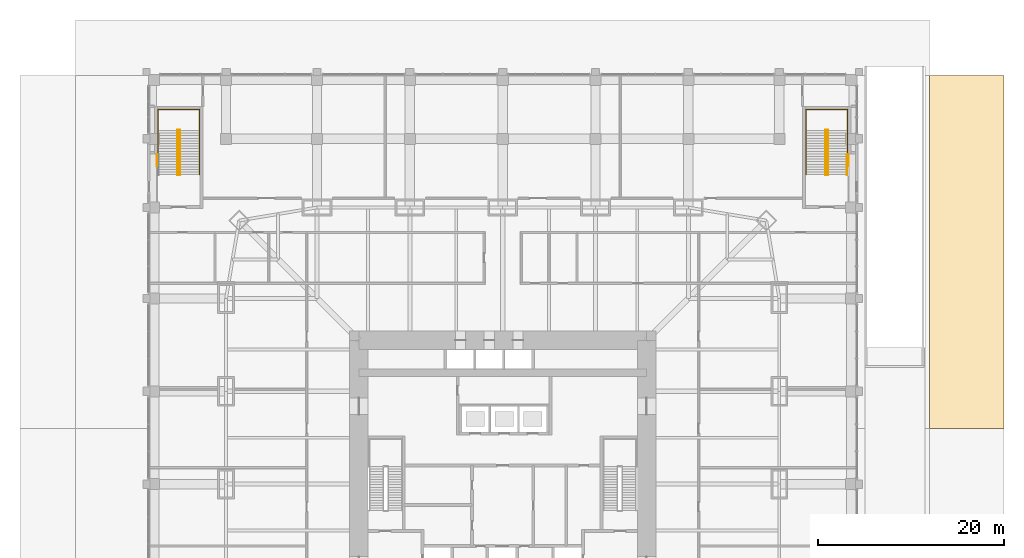
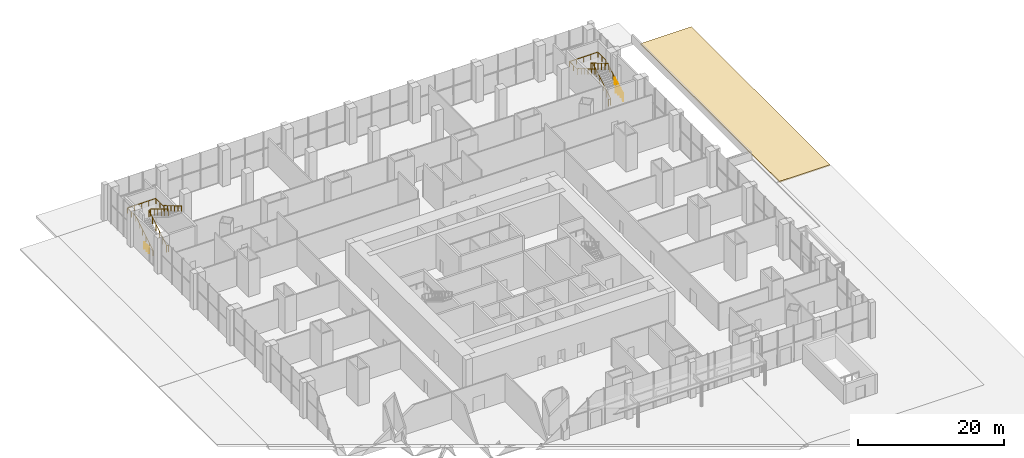
# One storey, part 30 of 31: 7 railings, 1 covering.
"""IFC4 building model written with IfcOpenShell, lengths in metres."""

from ifc_helpers import new_model, si_unit, direction, frame, origin, origin_2d, place, context, subcontext, project, spatial, polyline, circle, outline, extrude, material, layer, layer_set, type_object, element, save


model = new_model("IFC4")

# Units and contexts
model_context = context("Model", 3, precision=1e-05, world=origin(), true_north=direction((0.0, 1.0)))
body_context = subcontext(model_context, "Body", "Model", "MODEL_VIEW")
ifc_project = project(units=[si_unit("LENGTHUNIT", "METRE"), si_unit("AREAUNIT", "SQUARE_METRE"), si_unit("VOLUMEUNIT", "CUBIC_METRE"), si_unit("PLANEANGLEUNIT", "RADIAN"), si_unit("MASSUNIT", "GRAM", prefix="KILO")], contexts=[model_context])

# Site, building, storey
site_placement = place(None, origin())
site = spatial("IfcSite", under=ifc_project, at=site_placement, CompositionType="ELEMENT")
building_placement = place(site_placement, origin())
building = spatial("IfcBuilding", under=site, at=building_placement, Name="Khuree Lantern Residences", CompositionType="ELEMENT")
storey_placement = place(building_placement, origin())
storey = spatial("IfcBuildingStorey", under=building, at=storey_placement, Name="L00", CompositionType="ELEMENT", Elevation=0.0)

# Covering
ifc_material_1 = material(Name="Flamed granite setts on a bound sub-base", Category="masonry")
ifc_layer = layer(ifc_material_1, 0.199951171875)
ifc_layer_set = layer_set([ifc_layer], Name="PLAZA PAVING ON GRADE")
covering_type = type_object("IfcCoveringType", Name="PLAZA PAVING ON GRADE", PredefinedType="USERDEFINED", material=ifc_layer_set)
covering_placement = place(storey_placement, frame((0.0, 0.0, -0.199951171875)))
element("IfcCovering", 1, at=covering_placement, inside=storey, type_object=covering_type, Name="PLAZA PAVING BAY 11", ObjectType="PAVING", PredefinedType="USERDEFINED", context=body_context, shape_type="SweptSolid", body=[
    extrude(outline(polyline([(54.0, 6.0048828125), (46.0, 6.0048828125), (46.0, 44.0), (54.0, 44.0), (54.0, 6.0048828125)])), origin(), (0.0, 0.0, 1.0), 0.199951171875),
])

# Railings
ifc_material_2 = material(Name="Steel S355", Category="steel")
railing_type_1 = type_object("IfcRailingType", Name="STAIR GUARD G1 1100", PredefinedType="GUARDRAIL", material=ifc_material_2)
railing_1_placement = place(storey_placement, frame((-34.75, 33.2900390625, 0.0)))
element("IfcRailing", 2, at=railing_1_placement, inside=storey, type_object=railing_type_1, Name="Stair ST3 guard", PredefinedType="GUARDRAIL", context=body_context, shape_type="SweptSolid", body=[
    extrude(circle(Radius=0.02392578125, at=origin_2d()), frame((0.0, 0.0, 1.076171875), z_axis=(-1.0, 0.0, 0.0), x_axis=(0.0, -1.0, 0.0)), (0.0, 0.0, 1.0), 0.300048828125),
    extrude(circle(Radius=0.02392578125, at=origin_2d()), frame((-0.300048828125, 0.0, 1.076171875), z_axis=(0.0, 0.287476536604, 0.957787680492), x_axis=(-1.0, 0.0, 0.0)), (0.0, 0.0, 1.0), 0.174072265625),
    extrude(circle(Radius=0.02392578125, at=origin_2d()), frame((-0.300048828125, 0.050048828125, 1.24267578125), z_axis=(0.0, 0.859299802514, 0.511472237174), x_axis=(-1.0, 0.0, 0.0)), (0.0, 0.0, 1.0), 5.539306640625),
    extrude(circle(Radius=0.02392578125, at=origin_2d()), frame((-0.300048828125, 4.81005859375, 4.076171875), z_axis=(0.0, 1.0, 0.0), x_axis=(-1.0, 0.0, 0.0)), (0.0, 0.0, 1.0), 0.0498046875),
    extrude(circle(Radius=0.02392578125, at=origin_2d()), frame((-0.300048828125, 4.85986328125, 4.076171875), z_axis=(1.0, 0.0, 0.0), x_axis=(0.0, 1.0, 0.0)), (0.0, 0.0, 1.0), 0.300048828125),
    extrude(circle(Radius=0.02392578125, at=origin_2d()), frame((0.0, 4.85986328125, 4.076171875), z_axis=(0.0, -0.286189326841, 0.958173089375), x_axis=(1.0, 0.0, 0.0)), (0.0, 0.0, 1.0), 0.174072265625),
    extrude(circle(Radius=0.02392578125, at=origin_2d()), frame((0.0, 4.81005859375, 4.24267578125), z_axis=(0.0, -0.859299802514, 0.511472237174), x_axis=(1.0, 0.0, 0.0)), (0.0, 0.0, 1.0), 5.539306640625),
    extrude(circle(Radius=0.02099609375, at=origin_2d()), origin(), (0.0, 0.0, 1.0), 1.052001953125),
    extrude(circle(Radius=0.02099609375, at=origin_2d()), frame((-0.300048828125, 0.0, 0.0)), (0.0, 0.0, 1.0), 1.052001953125),
    extrude(circle(Radius=0.02099609375, at=origin_2d()), frame((-0.300048828125, 0.050048828125, 0.166748046875)), (0.0, 0.0, 1.0), 1.052001953125),
    extrude(circle(Radius=0.02099609375, at=origin_2d()), frame((-0.300048828125, 1.001953125, 0.7333984375)), (0.0, 0.0, 1.0), 1.052001953125),
    extrude(circle(Radius=0.02099609375, at=origin_2d()), frame((-0.300048828125, 1.9541015625, 1.300048828125)), (0.0, 0.0, 1.0), 1.052001953125),
    extrude(circle(Radius=0.02099609375, at=origin_2d()), frame((-0.300048828125, 2.906005859375, 1.86669921875)), (0.0, 0.0, 1.0), 1.052001953125),
    extrude(circle(Radius=0.02099609375, at=origin_2d()), frame((-0.300048828125, 3.858154296875, 2.433349609375)), (0.0, 0.0, 1.0), 1.052001953125),
    extrude(circle(Radius=0.02099609375, at=origin_2d()), frame((-0.300048828125, 4.81005859375, 3.0)), (0.0, 0.0, 1.0), 1.052001953125),
    extrude(circle(Radius=0.02099609375, at=origin_2d()), frame((-0.300048828125, 4.85986328125, 3.0)), (0.0, 0.0, 1.0), 1.052001953125),
    extrude(circle(Radius=0.02099609375, at=origin_2d()), frame((0.0, 4.85986328125, 3.0)), (0.0, 0.0, 1.0), 1.052001953125),
    extrude(circle(Radius=0.02099609375, at=origin_2d()), frame((0.0, 4.81005859375, 3.166748046875)), (0.0, 0.0, 1.0), 1.052001953125),
    extrude(circle(Radius=0.02099609375, at=origin_2d()), frame((0.0, 3.858154296875, 3.7333984375)), (0.0, 0.0, 1.0), 1.052001953125),
    extrude(circle(Radius=0.02099609375, at=origin_2d()), frame((0.0, 2.906005859375, 4.300048828125)), (0.0, 0.0, 1.0), 1.052001953125),
    extrude(circle(Radius=0.02099609375, at=origin_2d()), frame((0.0, 1.9541015625, 4.86669921875)), (0.0, 0.0, 1.0), 1.052001953125),
    extrude(circle(Radius=0.02099609375, at=origin_2d()), frame((0.0, 1.001953125, 5.433349609375)), (0.0, 0.0, 1.0), 1.052001953125),
    extrude(circle(Radius=0.02099609375, at=origin_2d()), frame((0.0, 0.050048828125, 6.0)), (0.0, 0.0, 1.0), 1.052001953125),
])
railing_2_placement = place(storey_placement, frame((-37.25, 34.263916015625, 0.0)))
element("IfcRailing", 3, at=railing_2_placement, inside=storey, type_object=railing_type_1, Name="Stair ST3 floor edge guard", PredefinedType="GUARDRAIL", context=body_context, shape_type="SweptSolid", body=[
    extrude(circle(Radius=0.02392578125, at=origin_2d()), frame((0.0, 0.0, 1.076171875), z_axis=(0.0, 1.0, 0.0), x_axis=(-1.0, 0.0, 0.0)), (0.0, 0.0, 1.0), 1.27197265625),
    extrude(circle(Radius=0.02099609375, at=origin_2d()), origin(), (0.0, 0.0, 1.0), 1.052001953125),
    extrude(circle(Radius=0.02099609375, at=origin_2d()), frame((0.0, 0.635986328125, 0.0)), (0.0, 0.0, 1.0), 1.052001953125),
    extrude(circle(Radius=0.02099609375, at=origin_2d()), frame((0.0, 1.27197265625, 0.0)), (0.0, 0.0, 1.0), 1.052001953125),
])
railing_3_placement = place(storey_placement, frame((34.75, 33.2900390625, 0.0)))
element("IfcRailing", 4, at=railing_3_placement, inside=storey, type_object=railing_type_1, Name="Stair ST4 guard", PredefinedType="GUARDRAIL", context=body_context, shape_type="SweptSolid", body=[
    extrude(circle(Radius=0.02392578125, at=origin_2d()), frame((0.0, 0.0, 1.076171875), z_axis=(1.0, 0.0, 0.0), x_axis=(0.0, 1.0, 0.0)), (0.0, 0.0, 1.0), 0.300048828125),
    extrude(circle(Radius=0.02392578125, at=origin_2d()), frame((0.300048828125, 0.0, 1.076171875), z_axis=(0.0, 0.287476536604, 0.957787680492), x_axis=(-1.0, 0.0, 0.0)), (0.0, 0.0, 1.0), 0.174072265625),
    extrude(circle(Radius=0.02392578125, at=origin_2d()), frame((0.300048828125, 0.050048828125, 1.24267578125), z_axis=(0.0, 0.859299802514, 0.511472237174), x_axis=(-1.0, 0.0, 0.0)), (0.0, 0.0, 1.0), 5.539306640625),
    extrude(circle(Radius=0.02392578125, at=origin_2d()), frame((0.300048828125, 4.81005859375, 4.076171875), z_axis=(0.0, 1.0, 0.0), x_axis=(-1.0, 0.0, 0.0)), (0.0, 0.0, 1.0), 0.0498046875),
    extrude(circle(Radius=0.02392578125, at=origin_2d()), frame((0.300048828125, 4.85986328125, 4.076171875), z_axis=(-1.0, 0.0, 0.0), x_axis=(0.0, -1.0, 0.0)), (0.0, 0.0, 1.0), 0.300048828125),
    extrude(circle(Radius=0.02392578125, at=origin_2d()), frame((0.0, 4.85986328125, 4.076171875), z_axis=(0.0, -0.286189326841, 0.958173089375), x_axis=(1.0, 0.0, 0.0)), (0.0, 0.0, 1.0), 0.174072265625),
    extrude(circle(Radius=0.02392578125, at=origin_2d()), frame((0.0, 4.81005859375, 4.24267578125), z_axis=(0.0, -0.859299802514, 0.511472237174), x_axis=(1.0, 0.0, 0.0)), (0.0, 0.0, 1.0), 5.539306640625),
    extrude(circle(Radius=0.02099609375, at=origin_2d()), origin(), (0.0, 0.0, 1.0), 1.052001953125),
    extrude(circle(Radius=0.02099609375, at=origin_2d()), frame((0.300048828125, 0.0, 0.0)), (0.0, 0.0, 1.0), 1.052001953125),
    extrude(circle(Radius=0.02099609375, at=origin_2d()), frame((0.300048828125, 0.050048828125, 0.166748046875)), (0.0, 0.0, 1.0), 1.052001953125),
    extrude(circle(Radius=0.02099609375, at=origin_2d()), frame((0.300048828125, 1.001953125, 0.7333984375)), (0.0, 0.0, 1.0), 1.052001953125),
    extrude(circle(Radius=0.02099609375, at=origin_2d()), frame((0.300048828125, 1.9541015625, 1.300048828125)), (0.0, 0.0, 1.0), 1.052001953125),
    extrude(circle(Radius=0.02099609375, at=origin_2d()), frame((0.300048828125, 2.906005859375, 1.86669921875)), (0.0, 0.0, 1.0), 1.052001953125),
    extrude(circle(Radius=0.02099609375, at=origin_2d()), frame((0.300048828125, 3.858154296875, 2.433349609375)), (0.0, 0.0, 1.0), 1.052001953125),
    extrude(circle(Radius=0.02099609375, at=origin_2d()), frame((0.300048828125, 4.81005859375, 3.0)), (0.0, 0.0, 1.0), 1.052001953125),
    extrude(circle(Radius=0.02099609375, at=origin_2d()), frame((0.300048828125, 4.85986328125, 3.0)), (0.0, 0.0, 1.0), 1.052001953125),
    extrude(circle(Radius=0.02099609375, at=origin_2d()), frame((0.0, 4.85986328125, 3.0)), (0.0, 0.0, 1.0), 1.052001953125),
    extrude(circle(Radius=0.02099609375, at=origin_2d()), frame((0.0, 4.81005859375, 3.166748046875)), (0.0, 0.0, 1.0), 1.052001953125),
    extrude(circle(Radius=0.02099609375, at=origin_2d()), frame((0.0, 3.858154296875, 3.7333984375)), (0.0, 0.0, 1.0), 1.052001953125),
    extrude(circle(Radius=0.02099609375, at=origin_2d()), frame((0.0, 2.906005859375, 4.300048828125)), (0.0, 0.0, 1.0), 1.052001953125),
    extrude(circle(Radius=0.02099609375, at=origin_2d()), frame((0.0, 1.9541015625, 4.86669921875)), (0.0, 0.0, 1.0), 1.052001953125),
    extrude(circle(Radius=0.02099609375, at=origin_2d()), frame((0.0, 1.001953125, 5.433349609375)), (0.0, 0.0, 1.0), 1.052001953125),
    extrude(circle(Radius=0.02099609375, at=origin_2d()), frame((0.0, 0.050048828125, 6.0)), (0.0, 0.0, 1.0), 1.052001953125),
])
railing_4_placement = place(storey_placement, frame((37.080078125, 33.2900390625, 0.0)))
element("IfcRailing", 5, at=railing_4_placement, inside=storey, type_object=railing_type_1, Name="Stair ST4 flight edge guard", PredefinedType="GUARDRAIL", context=body_context, shape_type="SweptSolid", body=[
    extrude(circle(Radius=0.02392578125, at=origin_2d()), frame((0.0, 0.0, 1.076171875), z_axis=(0.0, 0.287476536604, 0.957787680492), x_axis=(-1.0, 0.0, 0.0)), (0.0, 0.0, 1.0), 0.174072265625),
    extrude(circle(Radius=0.02392578125, at=origin_2d()), frame((0.0, 0.050048828125, 1.24267578125), z_axis=(0.0, 0.859274887894, 0.511514092704), x_axis=(-1.0, 0.0, 0.0)), (0.0, 0.0, 1.0), 2.555419921875),
    extrude(circle(Radius=0.02099609375, at=origin_2d()), origin(), (0.0, 0.0, 1.0), 1.052001953125),
    extrude(circle(Radius=0.02099609375, at=origin_2d()), frame((0.0, 0.050048828125, 0.166748046875)), (0.0, 0.0, 1.0), 1.052001953125),
    extrude(circle(Radius=0.02099609375, at=origin_2d()), frame((0.0, 0.781982421875, 0.6025390625)), (0.0, 0.0, 1.0), 1.052001953125),
    extrude(circle(Radius=0.02099609375, at=origin_2d()), frame((0.0, 1.513916015625, 1.0380859375)), (0.0, 0.0, 1.0), 1.052001953125),
    extrude(circle(Radius=0.02099609375, at=origin_2d()), frame((0.0, 2.245849609375, 1.473876953125)), (0.0, 0.0, 1.0), 1.052001953125),
])
railing_5_placement = place(storey_placement, frame((37.25, 34.263916015625, 0.0)))
element("IfcRailing", 6, at=railing_5_placement, inside=storey, type_object=railing_type_1, Name="Stair ST4 floor edge guard", PredefinedType="GUARDRAIL", context=body_context, shape_type="SweptSolid", body=[
    extrude(circle(Radius=0.02392578125, at=origin_2d()), frame((0.0, 0.0, 1.076171875), z_axis=(0.0, 1.0, 0.0), x_axis=(-1.0, 0.0, 0.0)), (0.0, 0.0, 1.0), 1.27197265625),
    extrude(circle(Radius=0.02099609375, at=origin_2d()), origin(), (0.0, 0.0, 1.0), 1.052001953125),
    extrude(circle(Radius=0.02099609375, at=origin_2d()), frame((0.0, 0.635986328125, 0.0)), (0.0, 0.0, 1.0), 1.052001953125),
    extrude(circle(Radius=0.02099609375, at=origin_2d()), frame((0.0, 1.27197265625, 0.0)), (0.0, 0.0, 1.0), 1.052001953125),
])
railing_type_2 = type_object("IfcRailingType", Name="STAIR HANDRAIL H1 900", PredefinedType="HANDRAIL", material=ifc_material_2)
railing_6_placement = place(storey_placement, frame((-37.139892578125, 33.340087890625, 0.166748046875)))
element("IfcRailing", 7, at=railing_6_placement, inside=storey, type_object=railing_type_2, Name="Stair ST3 handrail", PredefinedType="HANDRAIL", context=body_context, shape_type="SweptSolid", body=[
    extrude(circle(Radius=0.02392578125, at=origin_2d()), frame((0.0, 0.0, 0.8759765625), z_axis=(0.0, 0.859299802514, 0.511472237174), x_axis=(-1.0, 0.0, 0.0)), (0.0, 0.0, 1.0), 5.539306640625),
    extrude(circle(Radius=0.02392578125, at=origin_2d()), frame((0.0, 4.760009765625, 3.708984375), z_axis=(0.0, 1.0, 0.0), x_axis=(-1.0, 0.0, 0.0)), (0.0, 0.0, 1.0), 2.239990234375),
    extrude(circle(Radius=0.02392578125, at=origin_2d()), frame((0.0, 7.0, 3.708984375), z_axis=(1.0, 0.0, 0.0), x_axis=(0.0, 1.0, 0.0)), (0.0, 0.0, 1.0), 4.47998046875),
    extrude(circle(Radius=0.02392578125, at=origin_2d()), frame((4.47998046875, 7.0, 3.708984375), z_axis=(0.0, -1.0, 0.0), x_axis=(1.0, 0.0, 0.0)), (0.0, 0.0, 1.0), 2.239990234375),
    extrude(circle(Radius=0.02392578125, at=origin_2d()), frame((4.47998046875, 4.760009765625, 3.708984375), z_axis=(0.0, 0.0, 1.0), x_axis=(1.0, 0.0, 0.0)), (0.0, 0.0, 1.0), 0.166748046875),
    extrude(circle(Radius=0.02392578125, at=origin_2d()), frame((4.47998046875, 4.760009765625, 3.8759765625), z_axis=(0.0, -0.859299802514, 0.511472237174), x_axis=(1.0, 0.0, 0.0)), (0.0, 0.0, 1.0), 5.539306640625),
    extrude(circle(Radius=0.02099609375, at=origin_2d()), origin(), (0.0, 0.0, 1.0), 0.851806640625),
    extrude(circle(Radius=0.02099609375, at=origin_2d()), frame((0.0, 0.951904296875, 0.566650390625)), (0.0, 0.0, 1.0), 0.851806640625),
    extrude(circle(Radius=0.02099609375, at=origin_2d()), frame((0.0, 1.904052734375, 1.13330078125)), (0.0, 0.0, 1.0), 0.851806640625),
    extrude(circle(Radius=0.02099609375, at=origin_2d()), frame((0.0, 2.85595703125, 1.699951171875)), (0.0, 0.0, 1.0), 0.851806640625),
    extrude(circle(Radius=0.02099609375, at=origin_2d()), frame((0.0, 3.80810546875, 2.2666015625)), (0.0, 0.0, 1.0), 0.851806640625),
    extrude(circle(Radius=0.02099609375, at=origin_2d()), frame((0.0, 4.760009765625, 2.833251953125)), (0.0, 0.0, 1.0), 0.851806640625),
    extrude(circle(Radius=0.02099609375, at=origin_2d()), frame((0.0, 5.8798828125, 2.833251953125)), (0.0, 0.0, 1.0), 0.851806640625),
    extrude(circle(Radius=0.02099609375, at=origin_2d()), frame((0.0, 7.0, 2.833251953125)), (0.0, 0.0, 1.0), 0.851806640625),
    extrude(circle(Radius=0.02099609375, at=origin_2d()), frame((1.1201171875, 7.0, 2.833251953125)), (0.0, 0.0, 1.0), 0.851806640625),
    extrude(circle(Radius=0.02099609375, at=origin_2d()), frame((2.239990234375, 7.0, 2.833251953125)), (0.0, 0.0, 1.0), 0.851806640625),
    extrude(circle(Radius=0.02099609375, at=origin_2d()), frame((3.35986328125, 7.0, 2.833251953125)), (0.0, 0.0, 1.0), 0.851806640625),
    extrude(circle(Radius=0.02099609375, at=origin_2d()), frame((4.47998046875, 7.0, 2.833251953125)), (0.0, 0.0, 1.0), 0.851806640625),
    extrude(circle(Radius=0.02099609375, at=origin_2d()), frame((4.47998046875, 5.8798828125, 2.833251953125)), (0.0, 0.0, 1.0), 0.851806640625),
    extrude(circle(Radius=0.02099609375, at=origin_2d()), frame((4.47998046875, 4.760009765625, 2.833251953125)), (0.0, 0.0, 1.0), 0.851806640625),
    extrude(circle(Radius=0.02099609375, at=origin_2d()), frame((4.47998046875, 4.760009765625, 3.0)), (0.0, 0.0, 1.0), 0.851806640625),
    extrude(circle(Radius=0.02099609375, at=origin_2d()), frame((4.47998046875, 3.80810546875, 3.566650390625)), (0.0, 0.0, 1.0), 0.851806640625),
    extrude(circle(Radius=0.02099609375, at=origin_2d()), frame((4.47998046875, 2.85595703125, 4.13330078125)), (0.0, 0.0, 1.0), 0.851806640625),
    extrude(circle(Radius=0.02099609375, at=origin_2d()), frame((4.47998046875, 1.904052734375, 4.699951171875)), (0.0, 0.0, 1.0), 0.851806640625),
    extrude(circle(Radius=0.02099609375, at=origin_2d()), frame((4.47998046875, 0.951904296875, 5.2666015625)), (0.0, 0.0, 1.0), 0.851806640625),
    extrude(circle(Radius=0.02099609375, at=origin_2d()), frame((4.47998046875, 0.0, 5.833251953125)), (0.0, 0.0, 1.0), 0.851806640625),
])
railing_7_placement = place(storey_placement, frame((37.139892578125, 33.340087890625, 0.166748046875)))
element("IfcRailing", 8, at=railing_7_placement, inside=storey, type_object=railing_type_2, Name="Stair ST4 handrail", PredefinedType="HANDRAIL", context=body_context, shape_type="SweptSolid", body=[
    extrude(circle(Radius=0.02392578125, at=origin_2d()), frame((0.0, 0.0, 0.8759765625), z_axis=(0.0, 0.859299802514, 0.511472237174), x_axis=(-1.0, 0.0, 0.0)), (0.0, 0.0, 1.0), 5.539306640625),
    extrude(circle(Radius=0.02392578125, at=origin_2d()), frame((0.0, 4.760009765625, 3.708984375), z_axis=(0.0, 1.0, 0.0), x_axis=(-1.0, 0.0, 0.0)), (0.0, 0.0, 1.0), 2.239990234375),
    extrude(circle(Radius=0.02392578125, at=origin_2d()), frame((0.0, 7.0, 3.708984375), z_axis=(-1.0, 0.0, 0.0), x_axis=(0.0, -1.0, 0.0)), (0.0, 0.0, 1.0), 4.47998046875),
    extrude(circle(Radius=0.02392578125, at=origin_2d()), frame((-4.47998046875, 7.0, 3.708984375), z_axis=(0.0, -1.0, 0.0), x_axis=(1.0, 0.0, 0.0)), (0.0, 0.0, 1.0), 2.239990234375),
    extrude(circle(Radius=0.02392578125, at=origin_2d()), frame((-4.47998046875, 4.760009765625, 3.708984375), z_axis=(0.0, 0.0, 1.0), x_axis=(1.0, 0.0, 0.0)), (0.0, 0.0, 1.0), 0.166748046875),
    extrude(circle(Radius=0.02392578125, at=origin_2d()), frame((-4.47998046875, 4.760009765625, 3.8759765625), z_axis=(0.0, -0.859299802514, 0.511472237174), x_axis=(1.0, 0.0, 0.0)), (0.0, 0.0, 1.0), 5.539306640625),
    extrude(circle(Radius=0.02099609375, at=origin_2d()), origin(), (0.0, 0.0, 1.0), 0.851806640625),
    extrude(circle(Radius=0.02099609375, at=origin_2d()), frame((0.0, 0.951904296875, 0.566650390625)), (0.0, 0.0, 1.0), 0.851806640625),
    extrude(circle(Radius=0.02099609375, at=origin_2d()), frame((0.0, 1.904052734375, 1.13330078125)), (0.0, 0.0, 1.0), 0.851806640625),
    extrude(circle(Radius=0.02099609375, at=origin_2d()), frame((0.0, 2.85595703125, 1.699951171875)), (0.0, 0.0, 1.0), 0.851806640625),
    extrude(circle(Radius=0.02099609375, at=origin_2d()), frame((0.0, 3.80810546875, 2.2666015625)), (0.0, 0.0, 1.0), 0.851806640625),
    extrude(circle(Radius=0.02099609375, at=origin_2d()), frame((0.0, 4.760009765625, 2.833251953125)), (0.0, 0.0, 1.0), 0.851806640625),
    extrude(circle(Radius=0.02099609375, at=origin_2d()), frame((0.0, 5.8798828125, 2.833251953125)), (0.0, 0.0, 1.0), 0.851806640625),
    extrude(circle(Radius=0.02099609375, at=origin_2d()), frame((0.0, 7.0, 2.833251953125)), (0.0, 0.0, 1.0), 0.851806640625),
    extrude(circle(Radius=0.02099609375, at=origin_2d()), frame((-1.1201171875, 7.0, 2.833251953125)), (0.0, 0.0, 1.0), 0.851806640625),
    extrude(circle(Radius=0.02099609375, at=origin_2d()), frame((-2.239990234375, 7.0, 2.833251953125)), (0.0, 0.0, 1.0), 0.851806640625),
    extrude(circle(Radius=0.02099609375, at=origin_2d()), frame((-3.35986328125, 7.0, 2.833251953125)), (0.0, 0.0, 1.0), 0.851806640625),
    extrude(circle(Radius=0.02099609375, at=origin_2d()), frame((-4.47998046875, 7.0, 2.833251953125)), (0.0, 0.0, 1.0), 0.851806640625),
    extrude(circle(Radius=0.02099609375, at=origin_2d()), frame((-4.47998046875, 5.8798828125, 2.833251953125)), (0.0, 0.0, 1.0), 0.851806640625),
    extrude(circle(Radius=0.02099609375, at=origin_2d()), frame((-4.47998046875, 4.760009765625, 2.833251953125)), (0.0, 0.0, 1.0), 0.851806640625),
    extrude(circle(Radius=0.02099609375, at=origin_2d()), frame((-4.47998046875, 4.760009765625, 3.0)), (0.0, 0.0, 1.0), 0.851806640625),
    extrude(circle(Radius=0.02099609375, at=origin_2d()), frame((-4.47998046875, 3.80810546875, 3.566650390625)), (0.0, 0.0, 1.0), 0.851806640625),
    extrude(circle(Radius=0.02099609375, at=origin_2d()), frame((-4.47998046875, 2.85595703125, 4.13330078125)), (0.0, 0.0, 1.0), 0.851806640625),
    extrude(circle(Radius=0.02099609375, at=origin_2d()), frame((-4.47998046875, 1.904052734375, 4.699951171875)), (0.0, 0.0, 1.0), 0.851806640625),
    extrude(circle(Radius=0.02099609375, at=origin_2d()), frame((-4.47998046875, 0.951904296875, 5.2666015625)), (0.0, 0.0, 1.0), 0.851806640625),
    extrude(circle(Radius=0.02099609375, at=origin_2d()), frame((-4.47998046875, 0.0, 5.833251953125)), (0.0, 0.0, 1.0), 0.851806640625),
])

save(model, "model.ifc")
